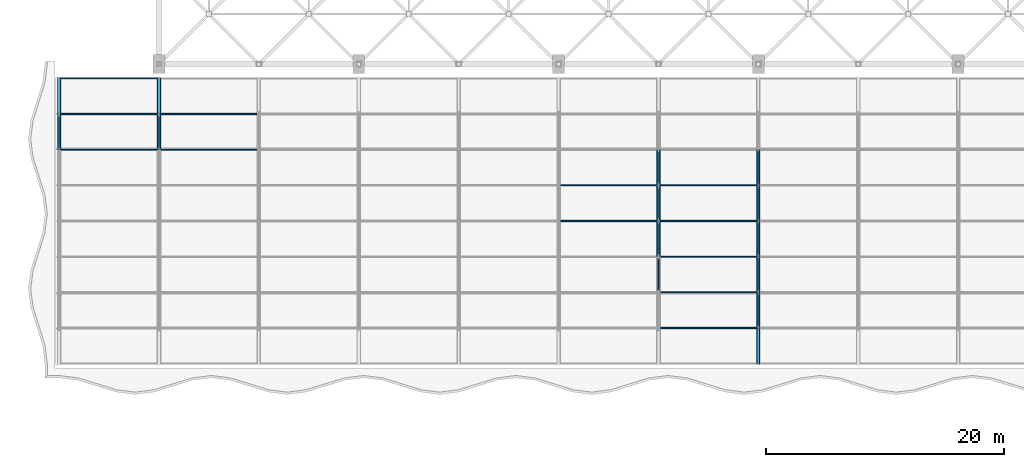
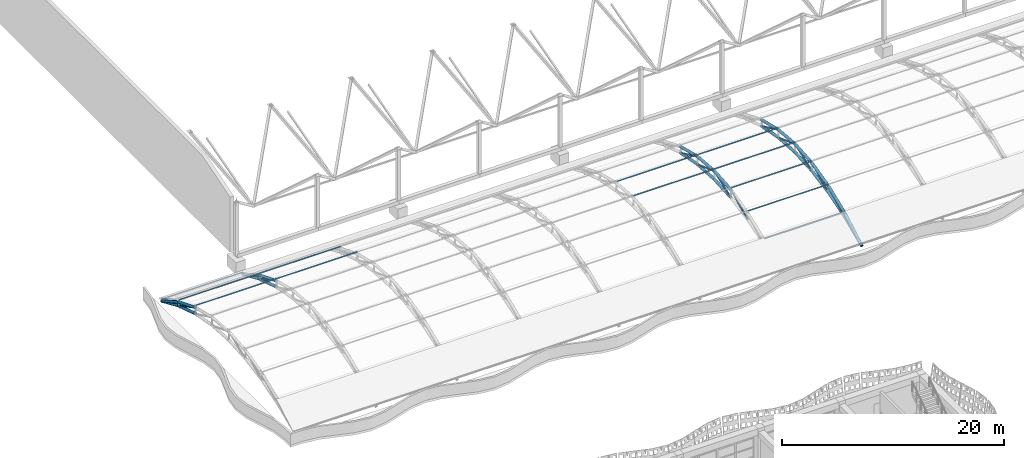
# One storey, part 14 of 163: 49 members.
"""IFC4 building model written with IfcOpenShell, lengths in metres."""

import ifcopenshell
import ifcopenshell.guid

model = None  # the IFC model being written
_history = None  # IfcOwnerHistory: only IFC2X3 demands one
_inside = {}  # id of a spatial element -> (the spatial element, [elements in it])
_under = {}  # id of a project, library or spatial element -> (it, [spatial elements below it])
_declared = {}  # id of a project -> (the project, [libraries it declares])
_typed = {}  # id of a type object -> (the type object, [elements of that type])
_made_of = {}  # id of a material, layer set ... -> (it, [elements and type objects made of it])


def new_model(schema):
    """Start an empty IFC model of exactly this schema.

    Asked for "IFC4X3", IfcOpenShell would pick the latest addendum, in which some entities
    have other attributes; the version numbers below select the first issue.
    IFC2X3 requires an IfcOwnerHistory on every rooted entity: one is made here for all.
    """
    global model, _history
    if schema == "IFC4X3":
        model = ifcopenshell.file(schema_version=(4, 3, 0, 0))
    else:
        model = ifcopenshell.file(schema=schema)
    _inside.clear()
    _under.clear()
    _declared.clear()
    _typed.clear()
    _made_of.clear()
    _history = None
    if model.schema == "IFC2X3":
        org = make("IfcOrganization", Name="unknown")
        user = make(
            "IfcPersonAndOrganization",
            ThePerson=make("IfcPerson", FamilyName="unknown"),
            TheOrganization=org,
        )
        app = make(
            "IfcApplication",
            ApplicationDeveloper=org,
            Version="unknown",
            ApplicationFullName="unknown",
            ApplicationIdentifier="unknown",
        )
        _history = make(
            "IfcOwnerHistory",
            OwningUser=user,
            OwningApplication=app,
            ChangeAction="ADDED",
            CreationDate=0,
        )
    return model


def make(cls, **values):
    """One entity of the class cls with the attributes given. An attribute that is None is left unset."""
    return model.create_entity(
        cls, **{name: value for name, value in values.items() if value is not None}
    )


def rooted(cls, **values):
    """An entity with a GlobalId (a new one), such as an element, a storey or a relation."""
    return make(cls, GlobalId=ifcopenshell.guid.new(), OwnerHistory=_history, **values)


def si_unit(unit_type, name, prefix=None):
    """IfcSIUnit, for example si_unit("LENGTHUNIT", "METRE", prefix="MILLI")."""
    return make("IfcSIUnit", UnitType=unit_type, Prefix=prefix, Name=name)


def assignment(units):
    """IfcUnitAssignment: the units of a project."""
    return None if units is None else make("IfcUnitAssignment", Units=units)


def point(xyz):
    """IfcCartesianPoint."""
    return None if xyz is None else make("IfcCartesianPoint", Coordinates=xyz)


def direction(xyz):
    """IfcDirection."""
    return None if xyz is None else make("IfcDirection", DirectionRatios=xyz)


def frame(location, z_axis=None, x_axis=None):
    """IfcAxis2Placement3D, a coordinate frame: its origin and axes. An axis left out is left unset."""
    return make(
        "IfcAxis2Placement3D",
        Location=point(location),
        Axis=direction(z_axis),
        RefDirection=direction(x_axis),
    )


def frame_2d(location, x_axis=None):
    """IfcAxis2Placement2D, a coordinate frame in the plane: its origin and x axis."""
    return make(
        "IfcAxis2Placement2D", Location=point(location), RefDirection=direction(x_axis)
    )


def origin():
    """The frame at (0, 0, 0) with its axes left unset."""
    return frame((0.0, 0.0, 0.0))


def origin_2d():
    """The frame at (0, 0) in the plane with its x axis left unset."""
    return frame_2d((0.0, 0.0))


def place(relative_to, where):
    """IfcLocalPlacement: puts the frame where relative to a parent placement (None: the world)."""
    return make(
        "IfcLocalPlacement", PlacementRelTo=relative_to, RelativePlacement=where
    )


def context(
    kind, dimensions, precision=None, world=None, true_north=None, identifier=None
):
    """IfcGeometricRepresentationContext, for example the 3D "Model" context."""
    return make(
        "IfcGeometricRepresentationContext",
        ContextIdentifier=identifier,
        ContextType=kind,
        CoordinateSpaceDimension=dimensions,
        Precision=precision,
        WorldCoordinateSystem=world,
        TrueNorth=true_north,
    )


def subcontext(parent, identifier, kind, view, scale=None):
    """IfcGeometricRepresentationSubContext, for example "Body" below "Model"."""
    return make(
        "IfcGeometricRepresentationSubContext",
        ContextIdentifier=identifier,
        ContextType=kind,
        ParentContext=parent,
        TargetScale=scale,
        TargetView=view,
    )


def project(units=None, contexts=None):
    """IfcProject with its units and contexts."""
    return rooted(
        "IfcProject",
        Name="project",
        RepresentationContexts=contexts,
        UnitsInContext=assignment(units),
    )


def spatial(cls, under=None, at=None, **own):
    """A site, building, storey or space (cls), placed at a placement, below another one or the project."""
    s = rooted(cls, ObjectPlacement=at, **own)
    if under is not None:
        _under.setdefault(under.id(), (under, []))[1].append(s)
    return s


def profile(cls, at=None, kind="AREA", **sizes):
    """A parametric profile (cls). Its sizes go by their IFC names, for example OverallWidth=200.0."""
    return make(cls, ProfileType=kind, Position=at, **sizes)


def hollow_circle(**sizes):
    """IfcCircleHollowProfileDef."""
    return profile("IfcCircleHollowProfileDef", **sizes)


def extrude(swept, where, along, depth):
    """IfcExtrudedAreaSolid: the profile swept, set in the frame where, extruded along a direction by depth."""
    return make(
        "IfcExtrudedAreaSolid",
        SweptArea=swept,
        Position=where,
        ExtrudedDirection=direction(along),
        Depth=depth,
    )


def shape(context_of_items, identifier, shape_type, items):
    """IfcShapeRepresentation: the items that make up one representation, for example the "Body"."""
    return make(
        "IfcShapeRepresentation",
        ContextOfItems=context_of_items,
        RepresentationIdentifier=identifier,
        RepresentationType=shape_type,
        Items=items,
    )


def material(Name=None, Category=None):
    """IfcMaterial."""
    return make("IfcMaterial", Name=Name, Category=Category)


def material_profile(
    of_material, cross_section, Name=None, Category=None, Priority=None
):
    """IfcMaterialProfile: a cross section and its material."""
    return make(
        "IfcMaterialProfile",
        Name=Name,
        Material=of_material,
        Profile=cross_section,
        Priority=Priority,
        Category=Category,
    )


def profile_set(profiles, Name=None, composite=None):
    """IfcMaterialProfileSet."""
    return make(
        "IfcMaterialProfileSet",
        Name=Name,
        MaterialProfiles=profiles,
        CompositeProfile=composite,
    )


def made_of(thing, what):
    """Note that an element or type object is made of a material, layer set ...; save() writes the relation."""
    if what is not None:
        _made_of.setdefault(what.id(), (what, []))[1].append(thing)
    return thing


def type_object(cls, material=None, **own):
    """A type object (cls), such as IfcWallType, which elements share."""
    return made_of(rooted(cls, **own), material)


def element(
    cls,
    number,
    at=None,
    inside=None,
    cuts=None,
    type_object=None,
    material=None,
    context=None,
    identifier="Body",
    shape_type=None,
    held_by="IfcProductDefinitionShape",
    body=None,
    shapes=None,
    **own,
):
    """One element of the class cls, such as IfcWall. Its Tag is "e" and its number.

    at: its placement. inside: the storey or other place that contains it. cuts: it is an
    opening in that element (IfcRelVoidsElement). A single representation is given by context,
    identifier, shape_type and body (its items); several are given by shapes. held_by: the class
    of the entity that holds the representations. save() writes the other relations.
    """
    e = rooted(cls, Tag="e%d" % number, ObjectPlacement=at, **own)
    if body is not None:
        shapes = [shape(context, identifier, shape_type, body)]
    if shapes is not None:
        e.Representation = make(held_by, Representations=shapes)
    if inside is not None:
        _inside.setdefault(inside.id(), (inside, []))[1].append(e)
    if cuts is not None:
        rooted(
            "IfcRelVoidsElement", RelatingBuildingElement=cuts, RelatedOpeningElement=e
        )
    if type_object is not None:
        _typed.setdefault(type_object.id(), (type_object, []))[1].append(e)
    return made_of(e, material)


def aggregate(whole, parts):
    """IfcRelAggregates: a whole, such as a stair, and the parts it consists of."""
    return rooted("IfcRelAggregates", RelatingObject=whole, RelatedObjects=parts)


def save(model, path):
    """Write the relations noted so far, then the file.

    IfcRelAggregates (storeys below a building ...), IfcRelContainedInSpatialStructure (elements
    in a storey), IfcRelDefinesByType, IfcRelAssociatesMaterial and IfcRelDeclares: one each for
    every whole, place, type object, material and project.
    """
    for whole, parts in _under.values():
        aggregate(whole, parts)
    for where, things in _inside.values():
        rooted(
            "IfcRelContainedInSpatialStructure",
            RelatedElements=things,
            RelatingStructure=where,
        )
    for kind, things in _typed.values():
        rooted("IfcRelDefinesByType", RelatedObjects=things, RelatingType=kind)
    for what, things in _made_of.values():
        rooted("IfcRelAssociatesMaterial", RelatedObjects=things, RelatingMaterial=what)
    for by, libraries in _declared.values():
        rooted("IfcRelDeclares", RelatingContext=by, RelatedDefinitions=libraries)
    model.write(path)


model = new_model("IFC4")

# Units and contexts
model_context = context("Model", 3, precision=1e-05, world=origin(), true_north=direction((0.0, 1.0)))
body_context = subcontext(model_context, "Body", "Model", "MODEL_VIEW")
ifc_project = project(units=[si_unit("LENGTHUNIT", "METRE"), si_unit("AREAUNIT", "SQUARE_METRE"), si_unit("VOLUMEUNIT", "CUBIC_METRE"), si_unit("PLANEANGLEUNIT", "RADIAN"), si_unit("MASSUNIT", "GRAM", prefix="KILO")], contexts=[model_context])

# Site, building, storey
site_placement = place(None, origin())
site = spatial("IfcSite", under=ifc_project, at=site_placement, CompositionType="ELEMENT")
building_placement = place(site_placement, origin())
building = spatial("IfcBuilding", under=site, at=building_placement, Name="Rain Tree Exposition and Congress Centre", CompositionType="ELEMENT")
storey_placement = place(building_placement, frame((0.0, 0.0, 10.5)))
storey = spatial("IfcBuildingStorey", under=building, at=storey_placement, Name="L02", CompositionType="ELEMENT", Elevation=10.5)

# Members
ifc_material_1 = material(Name="Steel S355J2H", Category="steel")
ifc_material_profile_1 = material_profile(ifc_material_1, hollow_circle(Radius=0.090087890625, WallThickness=0.008056640625, at=origin_2d()), Name="CHS 180x8")
ifc_profile_set_1 = profile_set([ifc_material_profile_1], Name="Steel S355J2H")
member_type_1 = type_object("IfcMemberType", Name="Steel brace member CHS 180x8", PredefinedType="BRACE", material=ifc_profile_set_1)
for number, where, z_axis, x_axis, name in (
    (1, (0.0, 96.60009765625, 1.4423828125), (0.0, -0.880818418444, 0.473454236151), (1.0, 0.0, 0.0), "Roof truss 1 diagonal 6"),
    (2, (8.39990234375, 96.60009765625, 1.4423828125), (0.0, -0.880818418444, 0.473454236151), (1.0, 0.0, 0.0), "Roof truss 2 diagonal 6"),
):
    element("IfcMember", number, at=place(storey_placement, frame(where, z_axis=z_axis, x_axis=x_axis)), inside=storey, type_object=member_type_1, Name=name, PredefinedType="BRACE", context=body_context, shape_type="SweptSolid", body=[
        extrude(hollow_circle(Radius=0.090087890625, WallThickness=0.008056640625, at=origin_2d()), origin(), (0.0, 0.0, 1.0), 3.406005859375),
    ])
member_1_placement = place(storey_placement, frame((50.39990234375, 81.60009765625, 2.3798828125), z_axis=(0.0, 0.905430616583, 0.424494285655), x_axis=(-1.0, 0.0, 0.0)))
element("IfcMember", 3, at=member_1_placement, inside=storey, type_object=member_type_1, Name="Roof truss 7 diagonal 2", PredefinedType="BRACE", context=body_context, shape_type="SweptSolid", body=[
    extrude(hollow_circle(Radius=0.090087890625, WallThickness=0.008056640625, at=origin_2d()), origin(), (0.0, 0.0, 1.0), 3.313232421875),
])
for number, where, z_axis, x_axis, name in (
    (4, (50.39990234375, 84.60009765625, 2.9423828125), (0.0, 0.940121356633, 0.340839896143), (-1.0, 0.0, 0.0), "Roof truss 7 diagonal 3"),
    (5, (50.39990234375, 90.60009765625, 2.9423828125), (0.0, -0.940121356633, 0.340839896143), (1.0, 0.0, 0.0), "Roof truss 7 diagonal 4"),
):
    element("IfcMember", number, at=place(storey_placement, frame(where, z_axis=z_axis, x_axis=x_axis)), inside=storey, type_object=member_type_1, Name=name, PredefinedType="BRACE", context=body_context, shape_type="SweptSolid", body=[
        extrude(hollow_circle(Radius=0.090087890625, WallThickness=0.008056640625, at=origin_2d()), origin(), (0.0, 0.0, 1.0), 3.191162109375),
    ])
member_2_placement = place(storey_placement, frame((50.39990234375, 93.60009765625, 2.3798828125), z_axis=(0.0, -0.905430616583, 0.424494285655), x_axis=(1.0, 0.0, 0.0)))
element("IfcMember", 6, at=member_2_placement, inside=storey, type_object=member_type_1, Name="Roof truss 7 diagonal 5", PredefinedType="BRACE", context=body_context, shape_type="SweptSolid", body=[
    extrude(hollow_circle(Radius=0.090087890625, WallThickness=0.008056640625, at=origin_2d()), origin(), (0.0, 0.0, 1.0), 3.313232421875),
])
member_3_placement = place(storey_placement, frame((58.800048828125, 78.60009765625, 1.4423828125), z_axis=(0.0, 0.880818418444, 0.473454236151), x_axis=(-1.0, 0.0, 0.0)))
element("IfcMember", 7, at=member_3_placement, inside=storey, type_object=member_type_1, Name="Roof truss 8 diagonal 1", PredefinedType="BRACE", context=body_context, shape_type="SweptSolid", body=[
    extrude(hollow_circle(Radius=0.090087890625, WallThickness=0.008056640625, at=origin_2d()), origin(), (0.0, 0.0, 1.0), 3.406005859375),
])
member_4_placement = place(storey_placement, frame((58.800048828125, 81.60009765625, 2.3798828125), z_axis=(0.0, 0.905430616583, 0.424494285655), x_axis=(-1.0, 0.0, 0.0)))
element("IfcMember", 8, at=member_4_placement, inside=storey, type_object=member_type_1, Name="Roof truss 8 diagonal 2", PredefinedType="BRACE", context=body_context, shape_type="SweptSolid", body=[
    extrude(hollow_circle(Radius=0.090087890625, WallThickness=0.008056640625, at=origin_2d()), origin(), (0.0, 0.0, 1.0), 3.313232421875),
])
for number, where, z_axis, x_axis, name in (
    (9, (58.800048828125, 84.60009765625, 2.9423828125), (0.0, 0.940121356633, 0.340839896143), (-1.0, 0.0, 0.0), "Roof truss 8 diagonal 3"),
    (10, (58.800048828125, 90.60009765625, 2.9423828125), (0.0, -0.940121356633, 0.340839896143), (1.0, 0.0, 0.0), "Roof truss 8 diagonal 4"),
):
    element("IfcMember", number, at=place(storey_placement, frame(where, z_axis=z_axis, x_axis=x_axis)), inside=storey, type_object=member_type_1, Name=name, PredefinedType="BRACE", context=body_context, shape_type="SweptSolid", body=[
        extrude(hollow_circle(Radius=0.090087890625, WallThickness=0.008056640625, at=origin_2d()), origin(), (0.0, 0.0, 1.0), 3.191162109375),
    ])
member_5_placement = place(storey_placement, frame((58.800048828125, 93.60009765625, 2.3798828125), z_axis=(0.0, -0.905430616583, 0.424494285655), x_axis=(1.0, 0.0, 0.0)))
element("IfcMember", 11, at=member_5_placement, inside=storey, type_object=member_type_1, Name="Roof truss 8 diagonal 5", PredefinedType="BRACE", context=body_context, shape_type="SweptSolid", body=[
    extrude(hollow_circle(Radius=0.090087890625, WallThickness=0.008056640625, at=origin_2d()), origin(), (0.0, 0.0, 1.0), 3.313232421875),
])
ifc_material_2 = material(Name="Steel S355J2H", Category="steel")
ifc_material_profile_2 = material_profile(ifc_material_2, hollow_circle(Radius=0.14990234375, WallThickness=0.013916015625, at=origin_2d()), Name="CHS 300x14")
ifc_profile_set_2 = profile_set([ifc_material_profile_2], Name="Steel S355J2H")
member_type_2 = type_object("IfcMemberType", Name="Steel chord member CHS 300x14", PredefinedType="CHORD", material=ifc_profile_set_2)
member_6_placement = place(storey_placement, frame((0.0, 93.60009765625, 3.054931640625), z_axis=(0.0, 0.926466577122, -0.376377046956), x_axis=(-1.0, 0.0, 0.0)))
element("IfcMember", 12, at=member_6_placement, inside=storey, type_object=member_type_2, Name="Roof truss 1 top chord 7", PredefinedType="CHORD", context=body_context, shape_type="SweptSolid", body=[
    extrude(hollow_circle(Radius=0.14990234375, WallThickness=0.013916015625, at=origin_2d()), origin(), (0.0, 0.0, 1.0), 3.238037109375),
])
member_7_placement = place(storey_placement, frame((0.0, 93.60009765625, 2.3798828125), z_axis=(0.0, 0.954479978035, -0.298274993136), x_axis=(-1.0, 0.0, 0.0)))
element("IfcMember", 13, at=member_7_placement, inside=storey, type_object=member_type_2, Name="Roof truss 1 bottom chord 7", PredefinedType="CHORD", context=body_context, shape_type="SweptSolid", body=[
    extrude(hollow_circle(Radius=0.14990234375, WallThickness=0.013916015625, at=origin_2d()), origin(), (0.0, 0.0, 1.0), 3.14306640625),
])
member_8_placement = place(storey_placement, frame((0.0, 96.60009765625, 1.836181640625), z_axis=(0.0, 0.869238262324, -0.494393409455), x_axis=(-1.0, 0.0, 0.0)))
element("IfcMember", 14, at=member_8_placement, inside=storey, type_object=member_type_2, Name="Roof truss 1 top chord 8", PredefinedType="CHORD", context=body_context, shape_type="SweptSolid", body=[
    extrude(hollow_circle(Radius=0.14990234375, WallThickness=0.013916015625, at=origin_2d()), origin(), (0.0, 0.0, 1.0), 3.451416015625),
])
member_9_placement = place(storey_placement, frame((0.0, 96.60009765625, 1.4423828125), z_axis=(0.0, 0.916157334902, -0.40081883402), x_axis=(-1.0, 0.0, 0.0)))
element("IfcMember", 15, at=member_9_placement, inside=storey, type_object=member_type_2, Name="Roof truss 1 bottom chord 8", PredefinedType="CHORD", context=body_context, shape_type="SweptSolid", body=[
    extrude(hollow_circle(Radius=0.14990234375, WallThickness=0.013916015625, at=origin_2d()), origin(), (0.0, 0.0, 1.0), 3.274658203125),
])
member_10_placement = place(storey_placement, frame((8.39990234375, 93.60009765625, 3.054931640625), z_axis=(0.0, 0.926466577122, -0.376377046956), x_axis=(-1.0, 0.0, 0.0)))
element("IfcMember", 16, at=member_10_placement, inside=storey, type_object=member_type_2, Name="Roof truss 2 top chord 7", PredefinedType="CHORD", context=body_context, shape_type="SweptSolid", body=[
    extrude(hollow_circle(Radius=0.14990234375, WallThickness=0.013916015625, at=origin_2d()), origin(), (0.0, 0.0, 1.0), 3.238037109375),
])
member_11_placement = place(storey_placement, frame((8.39990234375, 93.60009765625, 2.3798828125), z_axis=(0.0, 0.954479978035, -0.298274993136), x_axis=(-1.0, 0.0, 0.0)))
element("IfcMember", 17, at=member_11_placement, inside=storey, type_object=member_type_2, Name="Roof truss 2 bottom chord 7", PredefinedType="CHORD", context=body_context, shape_type="SweptSolid", body=[
    extrude(hollow_circle(Radius=0.14990234375, WallThickness=0.013916015625, at=origin_2d()), origin(), (0.0, 0.0, 1.0), 3.14306640625),
])
member_12_placement = place(storey_placement, frame((8.39990234375, 96.60009765625, 1.836181640625), z_axis=(0.0, 0.869238262324, -0.494393409455), x_axis=(-1.0, 0.0, 0.0)))
element("IfcMember", 18, at=member_12_placement, inside=storey, type_object=member_type_2, Name="Roof truss 2 top chord 8", PredefinedType="CHORD", context=body_context, shape_type="SweptSolid", body=[
    extrude(hollow_circle(Radius=0.14990234375, WallThickness=0.013916015625, at=origin_2d()), origin(), (0.0, 0.0, 1.0), 3.451416015625),
])
member_13_placement = place(storey_placement, frame((8.39990234375, 96.60009765625, 1.4423828125), z_axis=(0.0, 0.916157334902, -0.40081883402), x_axis=(-1.0, 0.0, 0.0)))
element("IfcMember", 19, at=member_13_placement, inside=storey, type_object=member_type_2, Name="Roof truss 2 bottom chord 8", PredefinedType="CHORD", context=body_context, shape_type="SweptSolid", body=[
    extrude(hollow_circle(Radius=0.14990234375, WallThickness=0.013916015625, at=origin_2d()), origin(), (0.0, 0.0, 1.0), 3.274658203125),
])
member_14_placement = place(storey_placement, frame((50.39990234375, 84.60009765625, 3.786376953125), z_axis=(0.0, 0.996718090462, 0.0809508996), x_axis=(-1.0, 0.0, 0.0)))
element("IfcMember", 20, at=member_14_placement, inside=storey, type_object=member_type_2, Name="Roof truss 7 top chord 4", PredefinedType="CHORD", context=body_context, shape_type="SweptSolid", body=[
    extrude(hollow_circle(Radius=0.14990234375, WallThickness=0.013916015625, at=origin_2d()), origin(), (0.0, 0.0, 1.0), 3.009765625),
])
member_15_placement = place(storey_placement, frame((50.39990234375, 84.60009765625, 2.9423828125), z_axis=(0.0, 0.998052578483, 0.062378286155), x_axis=(-1.0, 0.0, 0.0)))
element("IfcMember", 21, at=member_15_placement, inside=storey, type_object=member_type_2, Name="Roof truss 7 bottom chord 4", PredefinedType="CHORD", context=body_context, shape_type="SweptSolid", body=[
    extrude(hollow_circle(Radius=0.14990234375, WallThickness=0.013916015625, at=origin_2d()), origin(), (0.0, 0.0, 1.0), 3.005859375),
])
member_16_placement = place(storey_placement, frame((50.39990234375, 87.60009765625, 4.030029296875), z_axis=(0.0, 0.996718090462, -0.0809508996), x_axis=(-1.0, 0.0, 0.0)))
element("IfcMember", 22, at=member_16_placement, inside=storey, type_object=member_type_2, Name="Roof truss 7 top chord 5", PredefinedType="CHORD", context=body_context, shape_type="SweptSolid", body=[
    extrude(hollow_circle(Radius=0.14990234375, WallThickness=0.013916015625, at=origin_2d()), origin(), (0.0, 0.0, 1.0), 3.009765625),
])
member_17_placement = place(storey_placement, frame((50.39990234375, 87.60009765625, 3.1298828125), z_axis=(0.0, 0.998052578483, -0.062378286155), x_axis=(-1.0, 0.0, 0.0)))
element("IfcMember", 23, at=member_17_placement, inside=storey, type_object=member_type_2, Name="Roof truss 7 bottom chord 5", PredefinedType="CHORD", context=body_context, shape_type="SweptSolid", body=[
    extrude(hollow_circle(Radius=0.14990234375, WallThickness=0.013916015625, at=origin_2d()), origin(), (0.0, 0.0, 1.0), 3.005859375),
])
member_18_placement = place(storey_placement, frame((50.39990234375, 90.60009765625, 3.786376953125), z_axis=(0.0, 0.971539868448, -0.236876094228), x_axis=(-1.0, 0.0, 0.0)))
element("IfcMember", 24, at=member_18_placement, inside=storey, type_object=member_type_2, Name="Roof truss 7 top chord 6", PredefinedType="CHORD", context=body_context, shape_type="SweptSolid", body=[
    extrude(hollow_circle(Radius=0.14990234375, WallThickness=0.013916015625, at=origin_2d()), origin(), (0.0, 0.0, 1.0), 3.087890625),
])
member_19_placement = place(storey_placement, frame((50.39990234375, 90.60009765625, 2.9423828125), z_axis=(0.0, 0.982872186934, -0.18428853505), x_axis=(-1.0, 0.0, 0.0)))
element("IfcMember", 25, at=member_19_placement, inside=storey, type_object=member_type_2, Name="Roof truss 7 bottom chord 6", PredefinedType="CHORD", context=body_context, shape_type="SweptSolid", body=[
    extrude(hollow_circle(Radius=0.14990234375, WallThickness=0.013916015625, at=origin_2d()), origin(), (0.0, 0.0, 1.0), 3.05224609375),
])
member_20_placement = place(storey_placement, frame((58.800048828125, 75.60009765625, 0.1298828125), z_axis=(0.0, 0.869238262324, 0.494393409455), x_axis=(-1.0, 0.0, 0.0)))
element("IfcMember", 26, at=member_20_placement, inside=storey, type_object=member_type_2, Name="Roof truss 8 top chord 1", PredefinedType="CHORD", context=body_context, shape_type="SweptSolid", body=[
    extrude(hollow_circle(Radius=0.14990234375, WallThickness=0.013916015625, at=origin_2d()), origin(), (0.0, 0.0, 1.0), 3.451416015625),
])
member_21_placement = place(storey_placement, frame((58.800048828125, 75.60009765625, 0.1298828125), z_axis=(0.0, 0.916157334902, 0.40081883402), x_axis=(-1.0, 0.0, 0.0)))
element("IfcMember", 27, at=member_21_placement, inside=storey, type_object=member_type_2, Name="Roof truss 8 bottom chord 1", PredefinedType="CHORD", context=body_context, shape_type="SweptSolid", body=[
    extrude(hollow_circle(Radius=0.14990234375, WallThickness=0.013916015625, at=origin_2d()), origin(), (0.0, 0.0, 1.0), 3.274658203125),
])
member_22_placement = place(storey_placement, frame((58.800048828125, 78.60009765625, 1.836181640625), z_axis=(0.0, 0.926466577122, 0.376377046956), x_axis=(-1.0, 0.0, 0.0)))
element("IfcMember", 28, at=member_22_placement, inside=storey, type_object=member_type_2, Name="Roof truss 8 top chord 2", PredefinedType="CHORD", context=body_context, shape_type="SweptSolid", body=[
    extrude(hollow_circle(Radius=0.14990234375, WallThickness=0.013916015625, at=origin_2d()), origin(), (0.0, 0.0, 1.0), 3.238037109375),
])
member_23_placement = place(storey_placement, frame((58.800048828125, 78.60009765625, 1.4423828125), z_axis=(0.0, 0.954479978035, 0.298274993136), x_axis=(-1.0, 0.0, 0.0)))
element("IfcMember", 29, at=member_23_placement, inside=storey, type_object=member_type_2, Name="Roof truss 8 bottom chord 2", PredefinedType="CHORD", context=body_context, shape_type="SweptSolid", body=[
    extrude(hollow_circle(Radius=0.14990234375, WallThickness=0.013916015625, at=origin_2d()), origin(), (0.0, 0.0, 1.0), 3.14306640625),
])
member_24_placement = place(storey_placement, frame((58.800048828125, 81.60009765625, 3.054931640625), z_axis=(0.0, 0.971539868448, 0.236876094228), x_axis=(-1.0, 0.0, 0.0)))
element("IfcMember", 30, at=member_24_placement, inside=storey, type_object=member_type_2, Name="Roof truss 8 top chord 3", PredefinedType="CHORD", context=body_context, shape_type="SweptSolid", body=[
    extrude(hollow_circle(Radius=0.14990234375, WallThickness=0.013916015625, at=origin_2d()), origin(), (0.0, 0.0, 1.0), 3.087890625),
])
member_25_placement = place(storey_placement, frame((58.800048828125, 81.60009765625, 2.3798828125), z_axis=(0.0, 0.982872186934, 0.18428853505), x_axis=(-1.0, 0.0, 0.0)))
element("IfcMember", 31, at=member_25_placement, inside=storey, type_object=member_type_2, Name="Roof truss 8 bottom chord 3", PredefinedType="CHORD", context=body_context, shape_type="SweptSolid", body=[
    extrude(hollow_circle(Radius=0.14990234375, WallThickness=0.013916015625, at=origin_2d()), origin(), (0.0, 0.0, 1.0), 3.05224609375),
])
member_26_placement = place(storey_placement, frame((58.800048828125, 84.60009765625, 3.786376953125), z_axis=(0.0, 0.996718090462, 0.0809508996), x_axis=(-1.0, 0.0, 0.0)))
element("IfcMember", 32, at=member_26_placement, inside=storey, type_object=member_type_2, Name="Roof truss 8 top chord 4", PredefinedType="CHORD", context=body_context, shape_type="SweptSolid", body=[
    extrude(hollow_circle(Radius=0.14990234375, WallThickness=0.013916015625, at=origin_2d()), origin(), (0.0, 0.0, 1.0), 3.009765625),
])
member_27_placement = place(storey_placement, frame((58.800048828125, 84.60009765625, 2.9423828125), z_axis=(0.0, 0.998052578483, 0.062378286155), x_axis=(-1.0, 0.0, 0.0)))
element("IfcMember", 33, at=member_27_placement, inside=storey, type_object=member_type_2, Name="Roof truss 8 bottom chord 4", PredefinedType="CHORD", context=body_context, shape_type="SweptSolid", body=[
    extrude(hollow_circle(Radius=0.14990234375, WallThickness=0.013916015625, at=origin_2d()), origin(), (0.0, 0.0, 1.0), 3.005859375),
])
member_28_placement = place(storey_placement, frame((58.800048828125, 87.60009765625, 4.030029296875), z_axis=(0.0, 0.996718090462, -0.0809508996), x_axis=(-1.0, 0.0, 0.0)))
element("IfcMember", 34, at=member_28_placement, inside=storey, type_object=member_type_2, Name="Roof truss 8 top chord 5", PredefinedType="CHORD", context=body_context, shape_type="SweptSolid", body=[
    extrude(hollow_circle(Radius=0.14990234375, WallThickness=0.013916015625, at=origin_2d()), origin(), (0.0, 0.0, 1.0), 3.009765625),
])
member_29_placement = place(storey_placement, frame((58.800048828125, 87.60009765625, 3.1298828125), z_axis=(0.0, 0.998052578483, -0.062378286155), x_axis=(-1.0, 0.0, 0.0)))
element("IfcMember", 35, at=member_29_placement, inside=storey, type_object=member_type_2, Name="Roof truss 8 bottom chord 5", PredefinedType="CHORD", context=body_context, shape_type="SweptSolid", body=[
    extrude(hollow_circle(Radius=0.14990234375, WallThickness=0.013916015625, at=origin_2d()), origin(), (0.0, 0.0, 1.0), 3.005859375),
])
member_30_placement = place(storey_placement, frame((58.800048828125, 90.60009765625, 3.786376953125), z_axis=(0.0, 0.971539868448, -0.236876094228), x_axis=(-1.0, 0.0, 0.0)))
element("IfcMember", 36, at=member_30_placement, inside=storey, type_object=member_type_2, Name="Roof truss 8 top chord 6", PredefinedType="CHORD", context=body_context, shape_type="SweptSolid", body=[
    extrude(hollow_circle(Radius=0.14990234375, WallThickness=0.013916015625, at=origin_2d()), origin(), (0.0, 0.0, 1.0), 3.087890625),
])
member_31_placement = place(storey_placement, frame((58.800048828125, 90.60009765625, 2.9423828125), z_axis=(0.0, 0.982872186934, -0.18428853505), x_axis=(-1.0, 0.0, 0.0)))
element("IfcMember", 37, at=member_31_placement, inside=storey, type_object=member_type_2, Name="Roof truss 8 bottom chord 6", PredefinedType="CHORD", context=body_context, shape_type="SweptSolid", body=[
    extrude(hollow_circle(Radius=0.14990234375, WallThickness=0.013916015625, at=origin_2d()), origin(), (0.0, 0.0, 1.0), 3.05224609375),
])
ifc_material_3 = material(Name="Steel S355J2H", Category="steel")
ifc_material_profile_3 = material_profile(ifc_material_3, hollow_circle(Radius=0.070068359375, WallThickness=0.006103515625, at=origin_2d()), Name="CHS 140x6")
ifc_profile_set_3 = profile_set([ifc_material_profile_3], Name="Steel S355J2H")
member_type_3 = type_object("IfcMemberType", Name="Steel purlin member CHS 140x6", PredefinedType="PURLIN", material=ifc_profile_set_3)
for number, where, z_axis, x_axis, name in (
    (38, (50.39990234375, 78.60009765625, 2.056396484375), (1.0, 0.0, 0.0), (0.0, 1.0, 0.0), "Roof purlin 2.7"),
    (39, (50.39990234375, 81.60009765625, 3.27490234375), (1.0, 0.0, 0.0), (0.0, 1.0, 0.0), "Roof purlin 3.7"),
    (40, (50.39990234375, 84.60009765625, 4.00634765625), (1.0, 0.0, 0.0), (0.0, 1.0, 0.0), "Roof purlin 4.7"),
):
    element("IfcMember", number, at=place(storey_placement, frame(where, z_axis=z_axis, x_axis=x_axis)), inside=storey, type_object=member_type_3, Name=name, PredefinedType="PURLIN", context=body_context, shape_type="SweptSolid", body=[
        extrude(hollow_circle(Radius=0.070068359375, WallThickness=0.006103515625, at=origin_2d()), origin(), (0.0, 0.0, 1.0), 8.400146484375),
    ])
member_32_placement = place(storey_placement, frame((42.0, 87.60009765625, 4.25), z_axis=(1.0, 0.0, 0.0), x_axis=(0.0, 1.0, 0.0)))
element("IfcMember", 41, at=member_32_placement, inside=storey, type_object=member_type_3, Name="Roof purlin 5.6", PredefinedType="PURLIN", context=body_context, shape_type="SweptSolid", body=[
    extrude(hollow_circle(Radius=0.070068359375, WallThickness=0.006103515625, at=origin_2d()), origin(), (0.0, 0.0, 1.0), 8.39990234375),
])
member_33_placement = place(storey_placement, frame((50.39990234375, 87.60009765625, 4.25), z_axis=(1.0, 0.0, 0.0), x_axis=(0.0, 1.0, 0.0)))
element("IfcMember", 42, at=member_33_placement, inside=storey, type_object=member_type_3, Name="Roof purlin 5.7", PredefinedType="PURLIN", context=body_context, shape_type="SweptSolid", body=[
    extrude(hollow_circle(Radius=0.070068359375, WallThickness=0.006103515625, at=origin_2d()), origin(), (0.0, 0.0, 1.0), 8.400146484375),
])
member_34_placement = place(storey_placement, frame((42.0, 90.60009765625, 4.00634765625), z_axis=(1.0, 0.0, 0.0), x_axis=(0.0, 1.0, 0.0)))
element("IfcMember", 43, at=member_34_placement, inside=storey, type_object=member_type_3, Name="Roof purlin 6.6", PredefinedType="PURLIN", context=body_context, shape_type="SweptSolid", body=[
    extrude(hollow_circle(Radius=0.070068359375, WallThickness=0.006103515625, at=origin_2d()), origin(), (0.0, 0.0, 1.0), 8.39990234375),
])
member_35_placement = place(storey_placement, frame((50.39990234375, 90.60009765625, 4.00634765625), z_axis=(1.0, 0.0, 0.0), x_axis=(0.0, 1.0, 0.0)))
element("IfcMember", 44, at=member_35_placement, inside=storey, type_object=member_type_3, Name="Roof purlin 6.7", PredefinedType="PURLIN", context=body_context, shape_type="SweptSolid", body=[
    extrude(hollow_circle(Radius=0.070068359375, WallThickness=0.006103515625, at=origin_2d()), origin(), (0.0, 0.0, 1.0), 8.400146484375),
])
member_36_placement = place(storey_placement, frame((0.0, 93.60009765625, 3.27490234375), z_axis=(1.0, 0.0, 0.0), x_axis=(0.0, 1.0, 0.0)))
element("IfcMember", 45, at=member_36_placement, inside=storey, type_object=member_type_3, Name="Roof purlin 7.1", PredefinedType="PURLIN", context=body_context, shape_type="SweptSolid", body=[
    extrude(hollow_circle(Radius=0.070068359375, WallThickness=0.006103515625, at=origin_2d()), origin(), (0.0, 0.0, 1.0), 8.39990234375),
])
member_37_placement = place(storey_placement, frame((8.39990234375, 93.60009765625, 3.27490234375), z_axis=(1.0, 0.0, 0.0), x_axis=(0.0, 1.0, 0.0)))
element("IfcMember", 46, at=member_37_placement, inside=storey, type_object=member_type_3, Name="Roof purlin 7.2", PredefinedType="PURLIN", context=body_context, shape_type="SweptSolid", body=[
    extrude(hollow_circle(Radius=0.070068359375, WallThickness=0.006103515625, at=origin_2d()), origin(), (0.0, 0.0, 1.0), 8.400146484375),
])
member_38_placement = place(storey_placement, frame((0.0, 96.60009765625, 2.056396484375), z_axis=(1.0, 0.0, 0.0), x_axis=(0.0, 1.0, 0.0)))
element("IfcMember", 47, at=member_38_placement, inside=storey, type_object=member_type_3, Name="Roof purlin 8.1", PredefinedType="PURLIN", context=body_context, shape_type="SweptSolid", body=[
    extrude(hollow_circle(Radius=0.070068359375, WallThickness=0.006103515625, at=origin_2d()), origin(), (0.0, 0.0, 1.0), 8.39990234375),
])
member_39_placement = place(storey_placement, frame((8.39990234375, 96.60009765625, 2.056396484375), z_axis=(1.0, 0.0, 0.0), x_axis=(0.0, 1.0, 0.0)))
element("IfcMember", 48, at=member_39_placement, inside=storey, type_object=member_type_3, Name="Roof purlin 8.2", PredefinedType="PURLIN", context=body_context, shape_type="SweptSolid", body=[
    extrude(hollow_circle(Radius=0.070068359375, WallThickness=0.006103515625, at=origin_2d()), origin(), (0.0, 0.0, 1.0), 8.400146484375),
])
member_40_placement = place(storey_placement, frame((0.0, 99.60009765625, 0.35009765625), z_axis=(1.0, 0.0, 0.0), x_axis=(0.0, 1.0, 0.0)))
element("IfcMember", 49, at=member_40_placement, inside=storey, type_object=member_type_3, Name="Roof purlin 9.1", PredefinedType="PURLIN", context=body_context, shape_type="SweptSolid", body=[
    extrude(hollow_circle(Radius=0.070068359375, WallThickness=0.006103515625, at=origin_2d()), origin(), (0.0, 0.0, 1.0), 8.39990234375),
])

save(model, "model.ifc")
